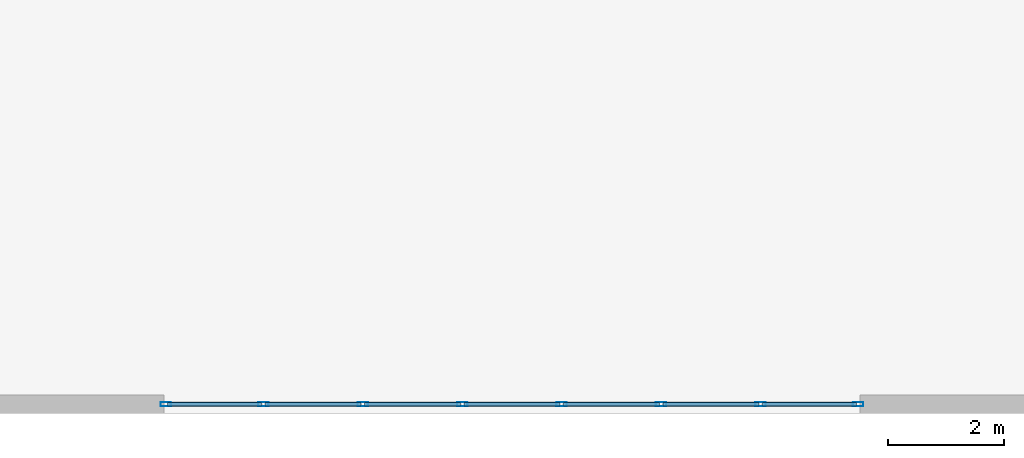
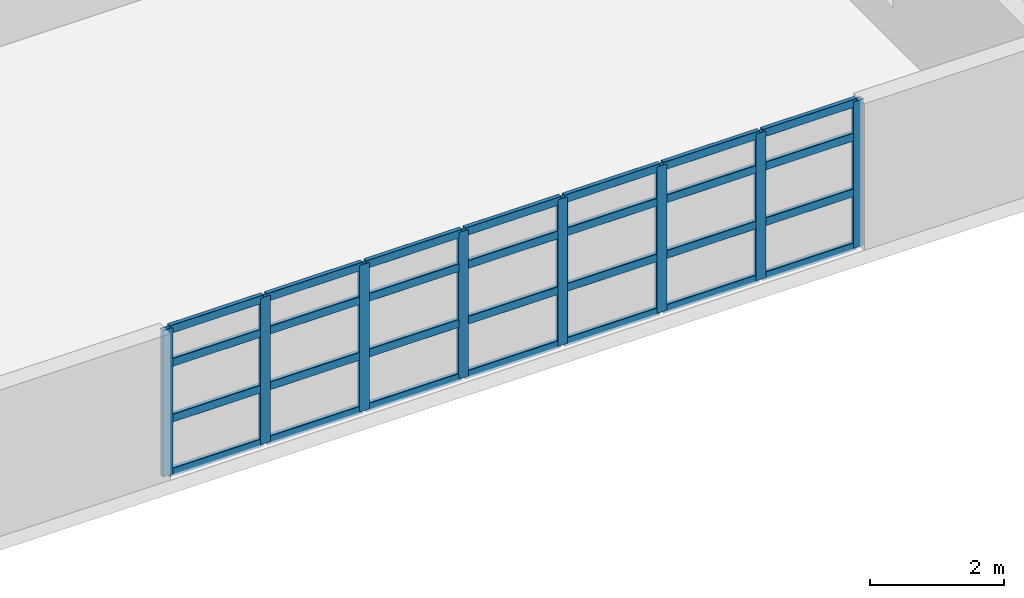
# One storey, part 2 of 24: 36 members, 1 element without a shape of its own.
"""IFC4 building model written with IfcOpenShell, lengths in metres."""

from ifc_helpers import new_model, si_unit, direction, frame, origin, origin_2d, place, context, subcontext, project, spatial, hollow_rectangle, extrude, material, layer, layer_set, material_profile, profile_set, type_object, element, aggregate, save


model = new_model("IFC4")

# Units and contexts
model_context = context("Model", 3, precision=1e-05, world=origin(), true_north=direction((0.0, 1.0)))
body_context = subcontext(model_context, "Body", "Model", "MODEL_VIEW")
ifc_project = project(units=[si_unit("LENGTHUNIT", "METRE"), si_unit("AREAUNIT", "SQUARE_METRE"), si_unit("VOLUMEUNIT", "CUBIC_METRE"), si_unit("PLANEANGLEUNIT", "RADIAN"), si_unit("MASSUNIT", "GRAM", prefix="KILO")], contexts=[model_context])

# Site, building, storey
site_placement = place(None, origin())
site = spatial("IfcSite", under=ifc_project, at=site_placement, CompositionType="ELEMENT")
building_placement = place(site_placement, origin())
building = spatial("IfcBuilding", under=site, at=building_placement, Name="Qingluan Cross Belvedere", CompositionType="ELEMENT")
storey_placement = place(building_placement, origin())
storey = spatial("IfcBuildingStorey", under=building, at=storey_placement, Name="L01", CompositionType="ELEMENT", Elevation=0.0)

# Curtain wall, members
ifc_material_1 = material(Name="Thermally broken aluminium and Low-E glass", Category="aluminium")
ifc_layer = layer(ifc_material_1, 0.199951171875, Name="UnitisedCW_PodiumArrival")
ifc_layer_set = layer_set([ifc_layer], Name="Thermally broken aluminium and Low-E glass")
curtain_wall_type = type_object("IfcCurtainWallType", Name="UnitisedCW_PodiumArrival", PredefinedType="USERDEFINED", material=ifc_layer_set)
curtain_wall_placement = place(storey_placement, origin())
curtain_wall = element("IfcCurtainWall", 1, at=curtain_wall_placement, inside=storey, type_object=curtain_wall_type, Name="UnitisedCW_PodiumArrival run env:cw:L01:S", ObjectType="UNITISED CURTAIN WALL", PredefinedType="USERDEFINED")
ifc_material_2 = material(Name="Aluminium alloy 6063-T6", Category="aluminium")
ifc_material_profile_1 = material_profile(ifc_material_2, hollow_rectangle(XDim=0.074951171875, YDim=0.179931640625, WallThickness=0.00390625, InnerFilletRadius=0.00390625, OuterFilletRadius=0.008056640625, at=origin_2d()), Name="CWM180x75x4")
ifc_profile_set_1 = profile_set([ifc_material_profile_1], Name="Aluminium alloy 6063-T6")
member_type_1 = type_object("IfcMemberType", Name="CWMullion_180", PredefinedType="MULLION", material=ifc_profile_set_1)
member_1_placement = place(storey_placement, frame((5.969970703125, -39.0400390625, 0.0), z_axis=(0.0, 0.0, 1.0), x_axis=(0.0, -1.0, 0.0)))
member_1 = element("IfcMember", 2, at=member_1_placement, type_object=member_type_1, Name="CW-P1 mullion 1", PredefinedType="MULLION", context=body_context, shape_type="SweptSolid", body=[
    extrude(hollow_rectangle(XDim=0.074951171875, YDim=0.179931640625, WallThickness=0.00390625, InnerFilletRadius=0.00390625, OuterFilletRadius=0.008056640625, at=origin_2d()), origin(), (0.0, 0.0, 1.0), 2.679931640625),
])
member_2_placement = place(storey_placement, frame((4.28564453125, -39.0400390625, 0.0), z_axis=(0.0, 0.0, 1.0), x_axis=(0.0, -1.0, 0.0)))
member_2 = element("IfcMember", 3, at=member_2_placement, type_object=member_type_1, Name="CW-P1 mullion 2", PredefinedType="MULLION", context=body_context, shape_type="SweptSolid", body=[
    extrude(hollow_rectangle(XDim=0.074951171875, YDim=0.179931640625, WallThickness=0.00390625, InnerFilletRadius=0.00390625, OuterFilletRadius=0.008056640625, at=origin_2d()), origin(), (0.0, 0.0, 1.0), 2.679931640625),
])
member_3_placement = place(storey_placement, frame((2.571533203125, -39.0400390625, 0.0), z_axis=(0.0, 0.0, 1.0), x_axis=(0.0, -1.0, 0.0)))
member_3 = element("IfcMember", 4, at=member_3_placement, type_object=member_type_1, Name="CW-P1 mullion 3", PredefinedType="MULLION", context=body_context, shape_type="SweptSolid", body=[
    extrude(hollow_rectangle(XDim=0.074951171875, YDim=0.179931640625, WallThickness=0.00390625, InnerFilletRadius=0.00390625, OuterFilletRadius=0.008056640625, at=origin_2d()), origin(), (0.0, 0.0, 1.0), 2.679931640625),
])
member_4_placement = place(storey_placement, frame((0.857177734375, -39.0400390625, 0.0), z_axis=(0.0, 0.0, 1.0), x_axis=(0.0, -1.0, 0.0)))
member_4 = element("IfcMember", 5, at=member_4_placement, type_object=member_type_1, Name="CW-P1 mullion 4", PredefinedType="MULLION", context=body_context, shape_type="SweptSolid", body=[
    extrude(hollow_rectangle(XDim=0.074951171875, YDim=0.179931640625, WallThickness=0.00390625, InnerFilletRadius=0.00390625, OuterFilletRadius=0.008056640625, at=origin_2d()), origin(), (0.0, 0.0, 1.0), 2.679931640625),
])
member_5_placement = place(storey_placement, frame((-0.857177734375, -39.0400390625, 0.0), z_axis=(0.0, 0.0, 1.0), x_axis=(0.0, -1.0, 0.0)))
member_5 = element("IfcMember", 6, at=member_5_placement, type_object=member_type_1, Name="CW-P1 mullion 5", PredefinedType="MULLION", context=body_context, shape_type="SweptSolid", body=[
    extrude(hollow_rectangle(XDim=0.074951171875, YDim=0.179931640625, WallThickness=0.00390625, InnerFilletRadius=0.00390625, OuterFilletRadius=0.008056640625, at=origin_2d()), origin(), (0.0, 0.0, 1.0), 2.679931640625),
])
member_6_placement = place(storey_placement, frame((-2.571533203125, -39.0400390625, 0.0), z_axis=(0.0, 0.0, 1.0), x_axis=(0.0, -1.0, 0.0)))
member_6 = element("IfcMember", 7, at=member_6_placement, type_object=member_type_1, Name="CW-P1 mullion 6", PredefinedType="MULLION", context=body_context, shape_type="SweptSolid", body=[
    extrude(hollow_rectangle(XDim=0.074951171875, YDim=0.179931640625, WallThickness=0.00390625, InnerFilletRadius=0.00390625, OuterFilletRadius=0.008056640625, at=origin_2d()), origin(), (0.0, 0.0, 1.0), 2.679931640625),
])
member_7_placement = place(storey_placement, frame((-4.28564453125, -39.0400390625, 0.0), z_axis=(0.0, 0.0, 1.0), x_axis=(0.0, -1.0, 0.0)))
member_7 = element("IfcMember", 8, at=member_7_placement, type_object=member_type_1, Name="CW-P1 mullion 7", PredefinedType="MULLION", context=body_context, shape_type="SweptSolid", body=[
    extrude(hollow_rectangle(XDim=0.074951171875, YDim=0.179931640625, WallThickness=0.00390625, InnerFilletRadius=0.00390625, OuterFilletRadius=0.008056640625, at=origin_2d()), origin(), (0.0, 0.0, 1.0), 2.679931640625),
])
member_8_placement = place(storey_placement, frame((-5.969970703125, -39.0400390625, 0.0), z_axis=(0.0, 0.0, 1.0), x_axis=(0.0, -1.0, 0.0)))
member_8 = element("IfcMember", 9, at=member_8_placement, type_object=member_type_1, Name="CW-P1 mullion 8", PredefinedType="MULLION", context=body_context, shape_type="SweptSolid", body=[
    extrude(hollow_rectangle(XDim=0.074951171875, YDim=0.179931640625, WallThickness=0.00390625, InnerFilletRadius=0.00390625, OuterFilletRadius=0.008056640625, at=origin_2d()), origin(), (0.0, 0.0, 1.0), 2.679931640625),
])
ifc_material_3 = material(Name="Aluminium alloy 6063-T6", Category="aluminium")
ifc_material_profile_2 = material_profile(ifc_material_3, hollow_rectangle(XDim=0.074951171875, YDim=0.14990234375, WallThickness=0.00390625, InnerFilletRadius=0.00390625, OuterFilletRadius=0.008056640625, at=origin_2d()), Name="CWT150x75x4")
ifc_profile_set_2 = profile_set([ifc_material_profile_2], Name="Aluminium alloy 6063-T6")
member_type_2 = type_object("IfcMemberType", Name="CWTransom_150", PredefinedType="USERDEFINED", material=ifc_profile_set_2)
member_9_placement = place(storey_placement, frame((5.93994140625, -39.0400390625, 0.030029296875), z_axis=(-1.0, 0.0, 0.0), x_axis=(0.0, -1.0, 0.0)))
member_9 = element("IfcMember", 10, at=member_9_placement, type_object=member_type_2, Name="CW-P1 transom 1.1", ObjectType="TRANSOM", PredefinedType="USERDEFINED", context=body_context, shape_type="SweptSolid", body=[
    extrude(hollow_rectangle(XDim=0.074951171875, YDim=0.14990234375, WallThickness=0.00390625, InnerFilletRadius=0.00390625, OuterFilletRadius=0.008056640625, at=origin_2d()), origin(), (0.0, 0.0, 1.0), 1.624267578125),
])
member_10_placement = place(storey_placement, frame((5.93994140625, -39.0400390625, 1.01806640625), z_axis=(-1.0, 0.0, 0.0), x_axis=(0.0, -1.0, 0.0)))
member_10 = element("IfcMember", 11, at=member_10_placement, type_object=member_type_2, Name="CW-P1 transom 1.2", ObjectType="TRANSOM", PredefinedType="USERDEFINED", context=body_context, shape_type="SweptSolid", body=[
    extrude(hollow_rectangle(XDim=0.074951171875, YDim=0.14990234375, WallThickness=0.00390625, InnerFilletRadius=0.00390625, OuterFilletRadius=0.008056640625, at=origin_2d()), origin(), (0.0, 0.0, 1.0), 1.624267578125),
])
member_11_placement = place(storey_placement, frame((5.93994140625, -39.0400390625, 2.037109375), z_axis=(-1.0, 0.0, 0.0), x_axis=(0.0, -1.0, 0.0)))
member_11 = element("IfcMember", 12, at=member_11_placement, type_object=member_type_2, Name="CW-P1 transom 1.3", ObjectType="TRANSOM", PredefinedType="USERDEFINED", context=body_context, shape_type="SweptSolid", body=[
    extrude(hollow_rectangle(XDim=0.074951171875, YDim=0.14990234375, WallThickness=0.00390625, InnerFilletRadius=0.00390625, OuterFilletRadius=0.008056640625, at=origin_2d()), origin(), (0.0, 0.0, 1.0), 1.624267578125),
])
member_12_placement = place(storey_placement, frame((5.93994140625, -39.0400390625, 2.64990234375), z_axis=(-1.0, 0.0, 0.0), x_axis=(0.0, -1.0, 0.0)))
member_12 = element("IfcMember", 13, at=member_12_placement, type_object=member_type_2, Name="CW-P1 transom 1.4", ObjectType="TRANSOM", PredefinedType="USERDEFINED", context=body_context, shape_type="SweptSolid", body=[
    extrude(hollow_rectangle(XDim=0.074951171875, YDim=0.14990234375, WallThickness=0.00390625, InnerFilletRadius=0.00390625, OuterFilletRadius=0.008056640625, at=origin_2d()), origin(), (0.0, 0.0, 1.0), 1.624267578125),
])
member_13_placement = place(storey_placement, frame((4.255615234375, -39.0400390625, 0.030029296875), z_axis=(-1.0, 0.0, 0.0), x_axis=(0.0, -1.0, 0.0)))
member_13 = element("IfcMember", 14, at=member_13_placement, type_object=member_type_2, Name="CW-P1 transom 2.1", ObjectType="TRANSOM", PredefinedType="USERDEFINED", context=body_context, shape_type="SweptSolid", body=[
    extrude(hollow_rectangle(XDim=0.074951171875, YDim=0.14990234375, WallThickness=0.00390625, InnerFilletRadius=0.00390625, OuterFilletRadius=0.008056640625, at=origin_2d()), origin(), (0.0, 0.0, 1.0), 1.654296875),
])
member_14_placement = place(storey_placement, frame((4.255615234375, -39.0400390625, 1.01806640625), z_axis=(-1.0, 0.0, 0.0), x_axis=(0.0, -1.0, 0.0)))
member_14 = element("IfcMember", 15, at=member_14_placement, type_object=member_type_2, Name="CW-P1 transom 2.2", ObjectType="TRANSOM", PredefinedType="USERDEFINED", context=body_context, shape_type="SweptSolid", body=[
    extrude(hollow_rectangle(XDim=0.074951171875, YDim=0.14990234375, WallThickness=0.00390625, InnerFilletRadius=0.00390625, OuterFilletRadius=0.008056640625, at=origin_2d()), origin(), (0.0, 0.0, 1.0), 1.654296875),
])
member_15_placement = place(storey_placement, frame((4.255615234375, -39.0400390625, 2.037109375), z_axis=(-1.0, 0.0, 0.0), x_axis=(0.0, -1.0, 0.0)))
member_15 = element("IfcMember", 16, at=member_15_placement, type_object=member_type_2, Name="CW-P1 transom 2.3", ObjectType="TRANSOM", PredefinedType="USERDEFINED", context=body_context, shape_type="SweptSolid", body=[
    extrude(hollow_rectangle(XDim=0.074951171875, YDim=0.14990234375, WallThickness=0.00390625, InnerFilletRadius=0.00390625, OuterFilletRadius=0.008056640625, at=origin_2d()), origin(), (0.0, 0.0, 1.0), 1.654296875),
])
member_16_placement = place(storey_placement, frame((4.255615234375, -39.0400390625, 2.64990234375), z_axis=(-1.0, 0.0, 0.0), x_axis=(0.0, -1.0, 0.0)))
member_16 = element("IfcMember", 17, at=member_16_placement, type_object=member_type_2, Name="CW-P1 transom 2.4", ObjectType="TRANSOM", PredefinedType="USERDEFINED", context=body_context, shape_type="SweptSolid", body=[
    extrude(hollow_rectangle(XDim=0.074951171875, YDim=0.14990234375, WallThickness=0.00390625, InnerFilletRadius=0.00390625, OuterFilletRadius=0.008056640625, at=origin_2d()), origin(), (0.0, 0.0, 1.0), 1.654296875),
])
member_17_placement = place(storey_placement, frame((2.54150390625, -39.0400390625, 0.030029296875), z_axis=(-1.0, 0.0, 0.0), x_axis=(0.0, -1.0, 0.0)))
member_17 = element("IfcMember", 18, at=member_17_placement, type_object=member_type_2, Name="CW-P1 transom 3.1", ObjectType="TRANSOM", PredefinedType="USERDEFINED", context=body_context, shape_type="SweptSolid", body=[
    extrude(hollow_rectangle(XDim=0.074951171875, YDim=0.14990234375, WallThickness=0.00390625, InnerFilletRadius=0.00390625, OuterFilletRadius=0.008056640625, at=origin_2d()), origin(), (0.0, 0.0, 1.0), 1.654296875),
])
member_18_placement = place(storey_placement, frame((2.54150390625, -39.0400390625, 1.01806640625), z_axis=(-1.0, 0.0, 0.0), x_axis=(0.0, -1.0, 0.0)))
member_18 = element("IfcMember", 19, at=member_18_placement, type_object=member_type_2, Name="CW-P1 transom 3.2", ObjectType="TRANSOM", PredefinedType="USERDEFINED", context=body_context, shape_type="SweptSolid", body=[
    extrude(hollow_rectangle(XDim=0.074951171875, YDim=0.14990234375, WallThickness=0.00390625, InnerFilletRadius=0.00390625, OuterFilletRadius=0.008056640625, at=origin_2d()), origin(), (0.0, 0.0, 1.0), 1.654296875),
])
member_19_placement = place(storey_placement, frame((2.54150390625, -39.0400390625, 2.037109375), z_axis=(-1.0, 0.0, 0.0), x_axis=(0.0, -1.0, 0.0)))
member_19 = element("IfcMember", 20, at=member_19_placement, type_object=member_type_2, Name="CW-P1 transom 3.3", ObjectType="TRANSOM", PredefinedType="USERDEFINED", context=body_context, shape_type="SweptSolid", body=[
    extrude(hollow_rectangle(XDim=0.074951171875, YDim=0.14990234375, WallThickness=0.00390625, InnerFilletRadius=0.00390625, OuterFilletRadius=0.008056640625, at=origin_2d()), origin(), (0.0, 0.0, 1.0), 1.654296875),
])
member_20_placement = place(storey_placement, frame((2.54150390625, -39.0400390625, 2.64990234375), z_axis=(-1.0, 0.0, 0.0), x_axis=(0.0, -1.0, 0.0)))
member_20 = element("IfcMember", 21, at=member_20_placement, type_object=member_type_2, Name="CW-P1 transom 3.4", ObjectType="TRANSOM", PredefinedType="USERDEFINED", context=body_context, shape_type="SweptSolid", body=[
    extrude(hollow_rectangle(XDim=0.074951171875, YDim=0.14990234375, WallThickness=0.00390625, InnerFilletRadius=0.00390625, OuterFilletRadius=0.008056640625, at=origin_2d()), origin(), (0.0, 0.0, 1.0), 1.654296875),
])
member_21_placement = place(storey_placement, frame((0.8271484375, -39.0400390625, 0.030029296875), z_axis=(-1.0, 0.0, 0.0), x_axis=(0.0, -1.0, 0.0)))
member_21 = element("IfcMember", 22, at=member_21_placement, type_object=member_type_2, Name="CW-P1 transom 4.1", ObjectType="TRANSOM", PredefinedType="USERDEFINED", context=body_context, shape_type="SweptSolid", body=[
    extrude(hollow_rectangle(XDim=0.074951171875, YDim=0.14990234375, WallThickness=0.00390625, InnerFilletRadius=0.00390625, OuterFilletRadius=0.008056640625, at=origin_2d()), origin(), (0.0, 0.0, 1.0), 1.654296875),
])
member_22_placement = place(storey_placement, frame((0.8271484375, -39.0400390625, 1.01806640625), z_axis=(-1.0, 0.0, 0.0), x_axis=(0.0, -1.0, 0.0)))
member_22 = element("IfcMember", 23, at=member_22_placement, type_object=member_type_2, Name="CW-P1 transom 4.2", ObjectType="TRANSOM", PredefinedType="USERDEFINED", context=body_context, shape_type="SweptSolid", body=[
    extrude(hollow_rectangle(XDim=0.074951171875, YDim=0.14990234375, WallThickness=0.00390625, InnerFilletRadius=0.00390625, OuterFilletRadius=0.008056640625, at=origin_2d()), origin(), (0.0, 0.0, 1.0), 1.654296875),
])
member_23_placement = place(storey_placement, frame((0.8271484375, -39.0400390625, 2.037109375), z_axis=(-1.0, 0.0, 0.0), x_axis=(0.0, -1.0, 0.0)))
member_23 = element("IfcMember", 24, at=member_23_placement, type_object=member_type_2, Name="CW-P1 transom 4.3", ObjectType="TRANSOM", PredefinedType="USERDEFINED", context=body_context, shape_type="SweptSolid", body=[
    extrude(hollow_rectangle(XDim=0.074951171875, YDim=0.14990234375, WallThickness=0.00390625, InnerFilletRadius=0.00390625, OuterFilletRadius=0.008056640625, at=origin_2d()), origin(), (0.0, 0.0, 1.0), 1.654296875),
])
member_24_placement = place(storey_placement, frame((0.8271484375, -39.0400390625, 2.64990234375), z_axis=(-1.0, 0.0, 0.0), x_axis=(0.0, -1.0, 0.0)))
member_24 = element("IfcMember", 25, at=member_24_placement, type_object=member_type_2, Name="CW-P1 transom 4.4", ObjectType="TRANSOM", PredefinedType="USERDEFINED", context=body_context, shape_type="SweptSolid", body=[
    extrude(hollow_rectangle(XDim=0.074951171875, YDim=0.14990234375, WallThickness=0.00390625, InnerFilletRadius=0.00390625, OuterFilletRadius=0.008056640625, at=origin_2d()), origin(), (0.0, 0.0, 1.0), 1.654296875),
])
member_25_placement = place(storey_placement, frame((-0.88720703125, -39.0400390625, 0.030029296875), z_axis=(-1.0, 0.0, 0.0), x_axis=(0.0, -1.0, 0.0)))
member_25 = element("IfcMember", 26, at=member_25_placement, type_object=member_type_2, Name="CW-P1 transom 5.1", ObjectType="TRANSOM", PredefinedType="USERDEFINED", context=body_context, shape_type="SweptSolid", body=[
    extrude(hollow_rectangle(XDim=0.074951171875, YDim=0.14990234375, WallThickness=0.00390625, InnerFilletRadius=0.00390625, OuterFilletRadius=0.008056640625, at=origin_2d()), origin(), (0.0, 0.0, 1.0), 1.654296875),
])
member_26_placement = place(storey_placement, frame((-0.88720703125, -39.0400390625, 1.01806640625), z_axis=(-1.0, 0.0, 0.0), x_axis=(0.0, -1.0, 0.0)))
member_26 = element("IfcMember", 27, at=member_26_placement, type_object=member_type_2, Name="CW-P1 transom 5.2", ObjectType="TRANSOM", PredefinedType="USERDEFINED", context=body_context, shape_type="SweptSolid", body=[
    extrude(hollow_rectangle(XDim=0.074951171875, YDim=0.14990234375, WallThickness=0.00390625, InnerFilletRadius=0.00390625, OuterFilletRadius=0.008056640625, at=origin_2d()), origin(), (0.0, 0.0, 1.0), 1.654296875),
])
member_27_placement = place(storey_placement, frame((-0.88720703125, -39.0400390625, 2.037109375), z_axis=(-1.0, 0.0, 0.0), x_axis=(0.0, -1.0, 0.0)))
member_27 = element("IfcMember", 28, at=member_27_placement, type_object=member_type_2, Name="CW-P1 transom 5.3", ObjectType="TRANSOM", PredefinedType="USERDEFINED", context=body_context, shape_type="SweptSolid", body=[
    extrude(hollow_rectangle(XDim=0.074951171875, YDim=0.14990234375, WallThickness=0.00390625, InnerFilletRadius=0.00390625, OuterFilletRadius=0.008056640625, at=origin_2d()), origin(), (0.0, 0.0, 1.0), 1.654296875),
])
member_28_placement = place(storey_placement, frame((-0.88720703125, -39.0400390625, 2.64990234375), z_axis=(-1.0, 0.0, 0.0), x_axis=(0.0, -1.0, 0.0)))
member_28 = element("IfcMember", 29, at=member_28_placement, type_object=member_type_2, Name="CW-P1 transom 5.4", ObjectType="TRANSOM", PredefinedType="USERDEFINED", context=body_context, shape_type="SweptSolid", body=[
    extrude(hollow_rectangle(XDim=0.074951171875, YDim=0.14990234375, WallThickness=0.00390625, InnerFilletRadius=0.00390625, OuterFilletRadius=0.008056640625, at=origin_2d()), origin(), (0.0, 0.0, 1.0), 1.654296875),
])
member_29_placement = place(storey_placement, frame((-2.601318359375, -39.0400390625, 0.030029296875), z_axis=(-1.0, 0.0, 0.0), x_axis=(0.0, -1.0, 0.0)))
member_29 = element("IfcMember", 30, at=member_29_placement, type_object=member_type_2, Name="CW-P1 transom 6.1", ObjectType="TRANSOM", PredefinedType="USERDEFINED", context=body_context, shape_type="SweptSolid", body=[
    extrude(hollow_rectangle(XDim=0.074951171875, YDim=0.14990234375, WallThickness=0.00390625, InnerFilletRadius=0.00390625, OuterFilletRadius=0.008056640625, at=origin_2d()), origin(), (0.0, 0.0, 1.0), 1.654296875),
])
member_30_placement = place(storey_placement, frame((-2.601318359375, -39.0400390625, 1.01806640625), z_axis=(-1.0, 0.0, 0.0), x_axis=(0.0, -1.0, 0.0)))
member_30 = element("IfcMember", 31, at=member_30_placement, type_object=member_type_2, Name="CW-P1 transom 6.2", ObjectType="TRANSOM", PredefinedType="USERDEFINED", context=body_context, shape_type="SweptSolid", body=[
    extrude(hollow_rectangle(XDim=0.074951171875, YDim=0.14990234375, WallThickness=0.00390625, InnerFilletRadius=0.00390625, OuterFilletRadius=0.008056640625, at=origin_2d()), origin(), (0.0, 0.0, 1.0), 1.654296875),
])
member_31_placement = place(storey_placement, frame((-2.601318359375, -39.0400390625, 2.037109375), z_axis=(-1.0, 0.0, 0.0), x_axis=(0.0, -1.0, 0.0)))
member_31 = element("IfcMember", 32, at=member_31_placement, type_object=member_type_2, Name="CW-P1 transom 6.3", ObjectType="TRANSOM", PredefinedType="USERDEFINED", context=body_context, shape_type="SweptSolid", body=[
    extrude(hollow_rectangle(XDim=0.074951171875, YDim=0.14990234375, WallThickness=0.00390625, InnerFilletRadius=0.00390625, OuterFilletRadius=0.008056640625, at=origin_2d()), origin(), (0.0, 0.0, 1.0), 1.654296875),
])
member_32_placement = place(storey_placement, frame((-2.601318359375, -39.0400390625, 2.64990234375), z_axis=(-1.0, 0.0, 0.0), x_axis=(0.0, -1.0, 0.0)))
member_32 = element("IfcMember", 33, at=member_32_placement, type_object=member_type_2, Name="CW-P1 transom 6.4", ObjectType="TRANSOM", PredefinedType="USERDEFINED", context=body_context, shape_type="SweptSolid", body=[
    extrude(hollow_rectangle(XDim=0.074951171875, YDim=0.14990234375, WallThickness=0.00390625, InnerFilletRadius=0.00390625, OuterFilletRadius=0.008056640625, at=origin_2d()), origin(), (0.0, 0.0, 1.0), 1.654296875),
])
member_33_placement = place(storey_placement, frame((-4.315673828125, -39.0400390625, 0.030029296875), z_axis=(-1.0, 0.0, 0.0), x_axis=(0.0, -1.0, 0.0)))
member_33 = element("IfcMember", 34, at=member_33_placement, type_object=member_type_2, Name="CW-P1 transom 7.1", ObjectType="TRANSOM", PredefinedType="USERDEFINED", context=body_context, shape_type="SweptSolid", body=[
    extrude(hollow_rectangle(XDim=0.074951171875, YDim=0.14990234375, WallThickness=0.00390625, InnerFilletRadius=0.00390625, OuterFilletRadius=0.008056640625, at=origin_2d()), origin(), (0.0, 0.0, 1.0), 1.624267578125),
])
member_34_placement = place(storey_placement, frame((-4.315673828125, -39.0400390625, 1.01806640625), z_axis=(-1.0, 0.0, 0.0), x_axis=(0.0, -1.0, 0.0)))
member_34 = element("IfcMember", 35, at=member_34_placement, type_object=member_type_2, Name="CW-P1 transom 7.2", ObjectType="TRANSOM", PredefinedType="USERDEFINED", context=body_context, shape_type="SweptSolid", body=[
    extrude(hollow_rectangle(XDim=0.074951171875, YDim=0.14990234375, WallThickness=0.00390625, InnerFilletRadius=0.00390625, OuterFilletRadius=0.008056640625, at=origin_2d()), origin(), (0.0, 0.0, 1.0), 1.624267578125),
])
member_35_placement = place(storey_placement, frame((-4.315673828125, -39.0400390625, 2.037109375), z_axis=(-1.0, 0.0, 0.0), x_axis=(0.0, -1.0, 0.0)))
member_35 = element("IfcMember", 36, at=member_35_placement, type_object=member_type_2, Name="CW-P1 transom 7.3", ObjectType="TRANSOM", PredefinedType="USERDEFINED", context=body_context, shape_type="SweptSolid", body=[
    extrude(hollow_rectangle(XDim=0.074951171875, YDim=0.14990234375, WallThickness=0.00390625, InnerFilletRadius=0.00390625, OuterFilletRadius=0.008056640625, at=origin_2d()), origin(), (0.0, 0.0, 1.0), 1.624267578125),
])
member_36_placement = place(storey_placement, frame((-4.315673828125, -39.0400390625, 2.64990234375), z_axis=(-1.0, 0.0, 0.0), x_axis=(0.0, -1.0, 0.0)))
member_36 = element("IfcMember", 37, at=member_36_placement, type_object=member_type_2, Name="CW-P1 transom 7.4", ObjectType="TRANSOM", PredefinedType="USERDEFINED", context=body_context, shape_type="SweptSolid", body=[
    extrude(hollow_rectangle(XDim=0.074951171875, YDim=0.14990234375, WallThickness=0.00390625, InnerFilletRadius=0.00390625, OuterFilletRadius=0.008056640625, at=origin_2d()), origin(), (0.0, 0.0, 1.0), 1.624267578125),
])
aggregate(curtain_wall, [member_1, member_2, member_3, member_4, member_5, member_6, member_7, member_8, member_9, member_10, member_11, member_12, member_13, member_14, member_15, member_16, member_17, member_18, member_19, member_20, member_21, member_22, member_23, member_24, member_25, member_26, member_27, member_28, member_29, member_30, member_31, member_32, member_33, member_34, member_35, member_36])

save(model, "model.ifc")
